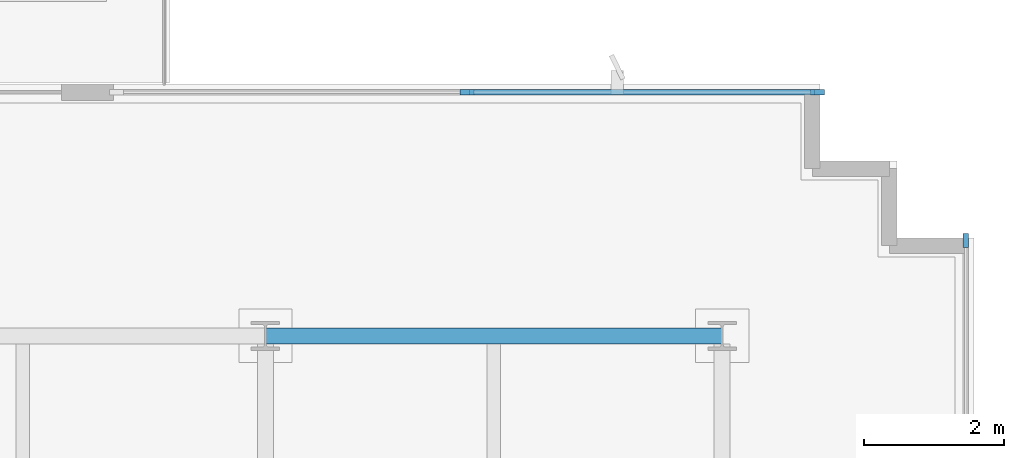
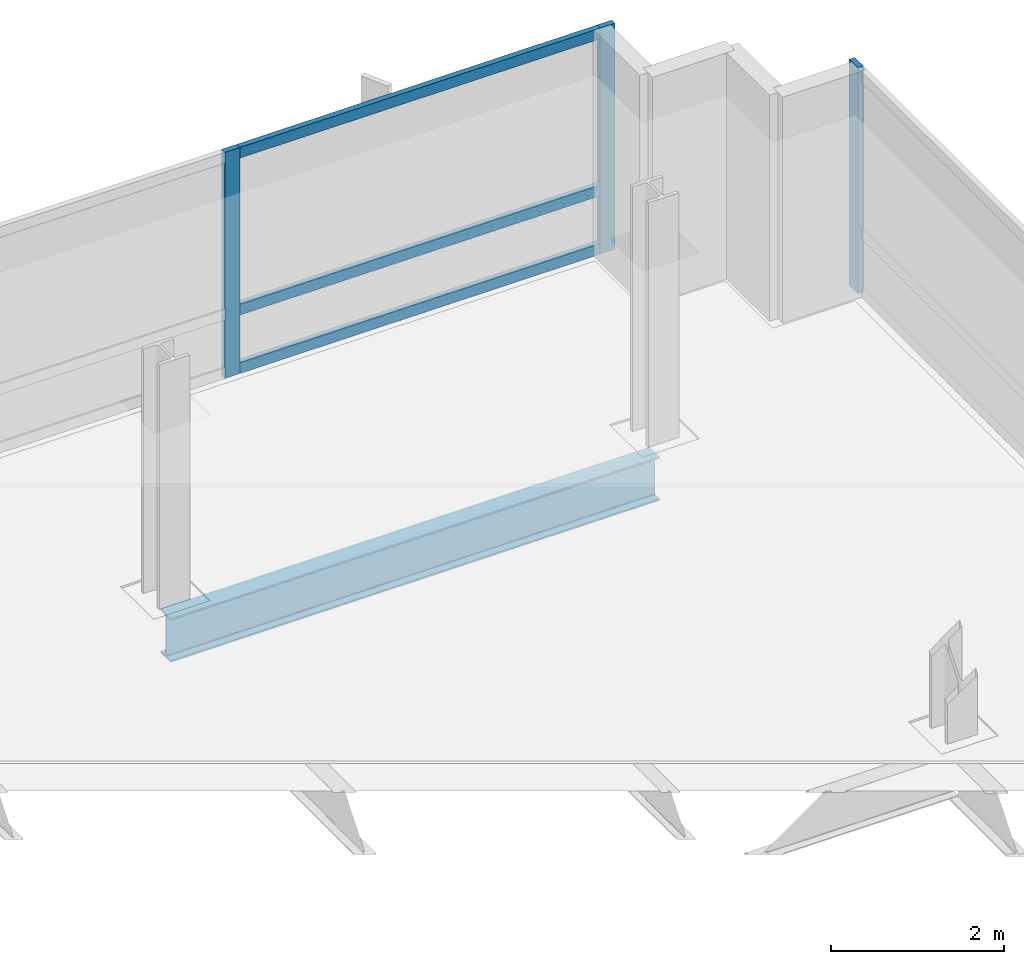
# One storey, part 6 of 15: 6 members, 1 beam, 2 elements without a shape of their own.
"""IFC4 building model written with IfcOpenShell, lengths in metres."""

from ifc_helpers import new_model, si_unit, direction, frame, origin, origin_2d, place, context, subcontext, project, spatial, rectangle, i_section, extrude, material, material_profile, profile_set, type_object, element, aggregate, save


model = new_model("IFC4")

# Units and contexts
model_context = context("Model", 3, precision=1e-05, world=origin(), true_north=direction((0.0, 1.0)))
body_context = subcontext(model_context, "Body", "Model", "MODEL_VIEW")
ifc_project = project(units=[si_unit("LENGTHUNIT", "METRE"), si_unit("AREAUNIT", "SQUARE_METRE"), si_unit("VOLUMEUNIT", "CUBIC_METRE"), si_unit("PLANEANGLEUNIT", "RADIAN"), si_unit("MASSUNIT", "GRAM", prefix="KILO")], contexts=[model_context])

# Site, building, storey
site_placement = place(None, origin())
site = spatial("IfcSite", under=ifc_project, at=site_placement, CompositionType="ELEMENT")
building_placement = place(site_placement, origin())
building = spatial("IfcBuilding", under=site, at=building_placement, Name="Solmavex Isthmus Hotel", CompositionType="ELEMENT")
storey_placement = place(building_placement, frame((0.0, 0.0, 273.0)))
storey = spatial("IfcBuildingStorey", under=building, at=storey_placement, Name="L74", CompositionType="ELEMENT", Elevation=273.0)

# Beam
ifc_material_1 = material(Name="Steel ASTM A992 Grade 50", Category="steel")
ifc_material_profile_1 = material_profile(ifc_material_1, i_section(OverallWidth=0.230224609375, OverallDepth=0.617431640625, WebThickness=0.01318359375, FlangeThickness=0.022216796875, FilletRadius=0.01513671875, at=origin_2d()), Name="W24X94")
ifc_profile_set_1 = profile_set([ifc_material_profile_1], Name="Steel ASTM A992 Grade 50")
beam_type = type_object("IfcBeamType", Name="BM-SP-W24X94", PredefinedType="SPANDREL", material=ifc_profile_set_1)
beam_placement = place(storey_placement, frame((13.8720703125, 17.699951171875, -0.56884765625), z_axis=(1.0, 0.0, 0.0), x_axis=(0.0, 1.0, 0.0)))
element("IfcBeam", 1, at=beam_placement, inside=storey, type_object=beam_type, Name="Floor Girder L74-UG20", PredefinedType="SPANDREL", context=body_context, shape_type="SweptSolid", body=[
    extrude(i_section(OverallWidth=0.230224609375, OverallDepth=0.617431640625, WebThickness=0.01318359375, FlangeThickness=0.022216796875, FilletRadius=0.01513671875, at=origin_2d()), origin(), (0.0, 0.0, 1.0), 6.52783203125),
])

# Curtain wall, members
ifc_material_2 = material(Name="Aluminium alloy 6063-T6", Category="aluminium")
curtain_wall_type = type_object("IfcCurtainWallType", Name="CW-SYS-04", PredefinedType="NOTDEFINED", material=ifc_material_2)
curtain_wall_1_placement = place(storey_placement, origin())
curtain_wall_1 = element("IfcCurtainWall", 2, at=curtain_wall_1_placement, inside=storey, type_object=curtain_wall_type, Name="Stick Curtain Wall CWL-L74-N3", PredefinedType="NOTDEFINED")
ifc_material_profile_2 = material_profile(ifc_material_2, rectangle(XDim=0.074951171875, YDim=0.199951171875, at=origin_2d()), Name="CWM-75X200")
ifc_profile_set_2 = profile_set([ifc_material_profile_2], Name="Aluminium alloy 6063-T6")
member_type_1 = type_object("IfcMemberType", Name="CW-SYS-04-MUL", PredefinedType="MULLION", material=ifc_profile_set_2)
member_1_placement = place(storey_placement, frame((16.751953125, 21.179931640625, 0.0), z_axis=(0.0, 0.0, 1.0), x_axis=(0.0, 1.0, 0.0)))
member_1 = element("IfcMember", 3, at=member_1_placement, type_object=member_type_1, Name="CW-04 mullion 2", PredefinedType="MULLION", context=body_context, shape_type="SweptSolid", body=[
    extrude(rectangle(XDim=0.074951171875, YDim=0.199951171875, at=origin_2d()), origin(), (0.0, 0.0, 1.0), 3.18994140625),
])
member_2_placement = place(storey_placement, frame((21.762451171875, 21.179931640625, 0.0), z_axis=(0.0, 0.0, 1.0), x_axis=(0.0, 1.0, 0.0)))
member_2 = element("IfcMember", 4, at=member_2_placement, type_object=member_type_1, Name="CW-04 mullion 3", PredefinedType="MULLION", context=body_context, shape_type="SweptSolid", body=[
    extrude(rectangle(XDim=0.074951171875, YDim=0.199951171875, at=origin_2d()), origin(), (0.0, 0.0, 1.0), 3.18994140625),
])

# Curtain wall, member
curtain_wall_2_placement = place(storey_placement, origin())
curtain_wall_2 = element("IfcCurtainWall", 5, at=curtain_wall_2_placement, inside=storey, type_object=curtain_wall_type, Name="Stick Curtain Wall CWL-L74-E1", PredefinedType="NOTDEFINED")
member_3_placement = place(storey_placement, frame((23.8798828125, 19.0625, 0.0), z_axis=(0.0, 0.0, 1.0), x_axis=(-1.0, 0.0, 0.0)))
member_3 = element("IfcMember", 6, at=member_3_placement, type_object=member_type_1, Name="CW-04 mullion 6", PredefinedType="MULLION", context=body_context, shape_type="SweptSolid", body=[
    extrude(rectangle(XDim=0.074951171875, YDim=0.199951171875, at=origin_2d()), origin(), (0.0, 0.0, 1.0), 3.18994140625),
])
aggregate(curtain_wall_2, [member_3])

# Member
ifc_material_profile_3 = material_profile(ifc_material_2, rectangle(XDim=0.074951171875, YDim=0.14990234375, at=origin_2d()), Name="CWT-75X150")
ifc_profile_set_3 = profile_set([ifc_material_profile_3], Name="Aluminium alloy 6063-T6")
member_type_2 = type_object("IfcMemberType", Name="CW-SYS-04-TRN", PredefinedType="USERDEFINED", material=ifc_profile_set_3)
member_4_placement = place(storey_placement, frame((16.78955078125, 21.179931640625, 0.074951171875), z_axis=(1.0, 0.0, 0.0), x_axis=(0.0, 1.0, 0.0)))
member_4 = element("IfcMember", 7, at=member_4_placement, type_object=member_type_2, Name="CW-04 transom 2.1", ObjectType="TRANSOM", PredefinedType="USERDEFINED", context=body_context, shape_type="SweptSolid", body=[
    extrude(rectangle(XDim=0.074951171875, YDim=0.14990234375, at=origin_2d()), origin(), (0.0, 0.0, 1.0), 4.935546875),
])

member_5_placement = place(storey_placement, frame((16.78955078125, 21.179931640625, 0.89990234375), z_axis=(1.0, 0.0, 0.0), x_axis=(0.0, 1.0, 0.0)))
member_5 = element("IfcMember", 8, at=member_5_placement, type_object=member_type_2, Name="CW-04 transom 2.2", ObjectType="TRANSOM", PredefinedType="USERDEFINED", context=body_context, shape_type="SweptSolid", body=[
    extrude(rectangle(XDim=0.074951171875, YDim=0.14990234375, at=origin_2d()), origin(), (0.0, 0.0, 1.0), 4.935546875),
])

member_6_placement = place(storey_placement, frame((16.78955078125, 21.179931640625, 3.114990234375), z_axis=(1.0, 0.0, 0.0), x_axis=(0.0, 1.0, 0.0)))
member_6 = element("IfcMember", 9, at=member_6_placement, type_object=member_type_2, Name="CW-04 transom 2.3", ObjectType="TRANSOM", PredefinedType="USERDEFINED", context=body_context, shape_type="SweptSolid", body=[
    extrude(rectangle(XDim=0.074951171875, YDim=0.14990234375, at=origin_2d()), origin(), (0.0, 0.0, 1.0), 4.935546875),
])

aggregate(curtain_wall_1, [member_1, member_2, member_4, member_5, member_6])

save(model, "model.ifc")
